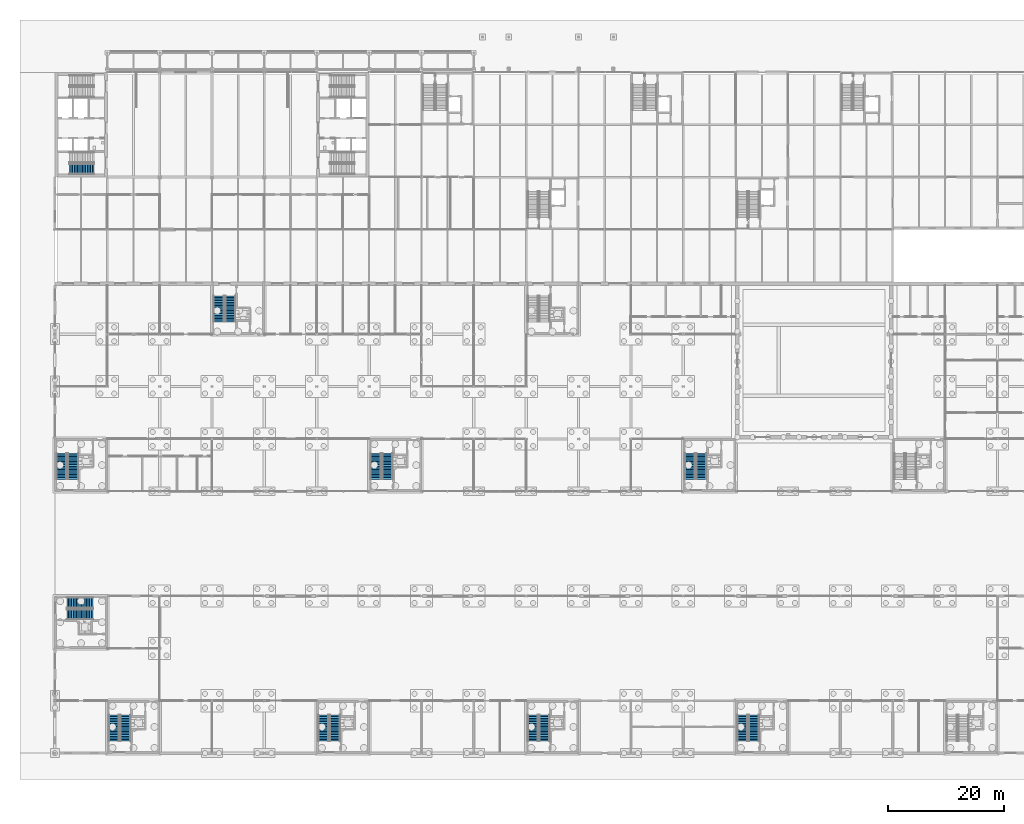
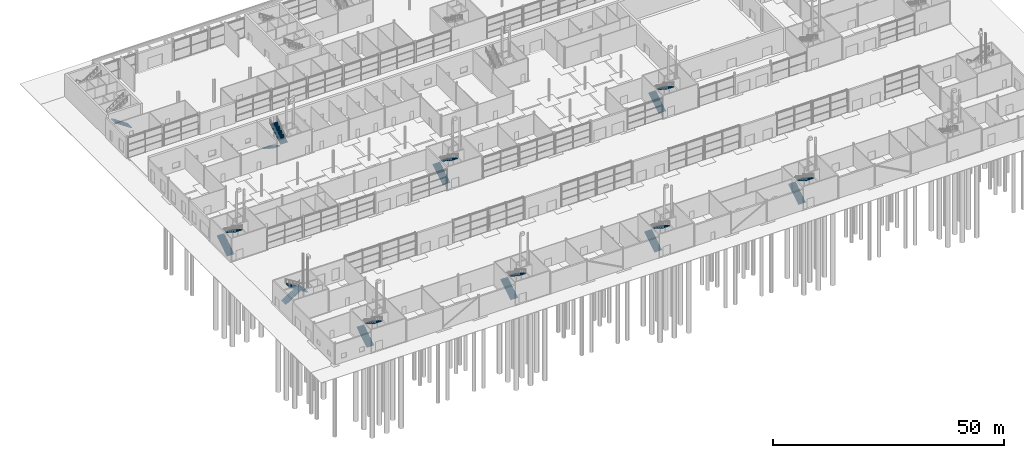
# One storey, part 81 of 97: 19 stair flights, 10 elements without a shape of their own.
"""IFC4 building model written with IfcOpenShell, lengths in metres."""

from ifc_helpers import new_model, si_unit, direction, frame, origin, place, context, subcontext, project, spatial, polyline, outline, extrude, material, type_object, element, aggregate, save


model = new_model("IFC4")

# Units and contexts
model_context = context("Model", 3, precision=1e-05, world=origin(), true_north=direction((0.0, 1.0)))
body_context = subcontext(model_context, "Body", "Model", "MODEL_VIEW")
ifc_project = project(units=[si_unit("LENGTHUNIT", "METRE"), si_unit("AREAUNIT", "SQUARE_METRE"), si_unit("VOLUMEUNIT", "CUBIC_METRE"), si_unit("PLANEANGLEUNIT", "RADIAN"), si_unit("MASSUNIT", "GRAM", prefix="KILO")], contexts=[model_context])

# Site, building, storey
site_placement = place(None, origin())
site = spatial("IfcSite", under=ifc_project, at=site_placement, CompositionType="ELEMENT")
building_placement = place(site_placement, origin())
building = spatial("IfcBuilding", under=site, at=building_placement, Name="Corbel Yard City Hall", CompositionType="ELEMENT")
storey_placement = place(building_placement, origin())
storey = spatial("IfcBuildingStorey", under=building, at=storey_placement, Name="L00", CompositionType="ELEMENT", Elevation=0.0)

# Stair, stair flights
ifc_material = material(Name="Concrete N40 (40 MPa)", Category="concrete")
stair_type_1 = type_object("IfcStairType", Name="ST2", PredefinedType="HALF_TURN_STAIR", material=ifc_material)
stair_1_placement = place(storey_placement, origin())
stair_1 = element("IfcStair", 1, at=stair_1_placement, inside=storey, type_object=stair_type_1, Name="Exit stair L00", PredefinedType="HALF_TURN_STAIR")
stair_flight_type_1 = type_object("IfcStairFlightType", Name="FL2", PredefinedType="STRAIGHT", material=ifc_material)
stair_flight_1_placement = place(storey_placement, frame((10.14990234375, 2.050048828125, 0.0), z_axis=(0.0, 0.0, 1.0), x_axis=(0.0, 1.0, 0.0)))
stair_flight_1 = element("IfcStairFlight", 2, at=stair_flight_1_placement, type_object=stair_flight_type_1, Name="PS1 flight 1", NumberOfRisers=17, NumberOfTreads=16, PredefinedType="STRAIGHT", RiserHeight=0.176471, TreadLength=0.28, context=body_context, shape_type="SweptSolid", body=[
    extrude(outline(polyline([(0.0, 0.0), (0.0, 0.176513671875), (0.280029296875, 0.176513671875), (0.280029296875, 0.35302734375), (0.56005859375, 0.35302734375), (0.56005859375, 0.529296875), (0.840087890625, 0.529296875), (0.840087890625, 0.705810546875), (1.1201171875, 0.705810546875), (1.1201171875, 0.88232421875), (1.39990234375, 0.88232421875), (1.39990234375, 1.058837890625), (1.679931640625, 1.058837890625), (1.679931640625, 1.2353515625), (1.9599609375, 1.2353515625), (1.9599609375, 1.411865234375), (2.239990234375, 1.411865234375), (2.239990234375, 1.588134765625), (2.52001953125, 1.588134765625), (2.52001953125, 1.7646484375), (2.800048828125, 1.7646484375), (2.800048828125, 1.941162109375), (3.080078125, 1.941162109375), (3.080078125, 2.11767578125), (3.360107421875, 2.11767578125), (3.360107421875, 2.294189453125), (3.639892578125, 2.294189453125), (3.639892578125, 2.470703125), (3.919921875, 2.470703125), (3.919921875, 2.64697265625), (4.199951171875, 2.64697265625), (4.199951171875, 2.823486328125), (4.47998046875, 2.823486328125), (4.47998046875, 3.0), (4.47998046875, 2.646240234375), (0.28125, 0.0), (0.0, 0.0)])), frame((0.0, 0.89990234375, 0.0), z_axis=(0.0, -1.0, 0.0), x_axis=(1.0, 0.0, 0.0)), (0.0, 0.0, 1.0), 1.800048828125),
])
stair_flight_2_placement = place(storey_placement, frame((12.14990234375, 6.530029296875, 3.0), z_axis=(0.0, 0.0, 1.0), x_axis=(0.0, -1.0, 0.0)))
stair_flight_2 = element("IfcStairFlight", 3, at=stair_flight_2_placement, type_object=stair_flight_type_1, Name="PS1 flight 2", NumberOfRisers=17, NumberOfTreads=16, PredefinedType="STRAIGHT", RiserHeight=0.176471, TreadLength=0.28, context=body_context, shape_type="SweptSolid", body=[
    extrude(outline(polyline([(0.0, 0.0), (0.0, 0.176513671875), (0.280029296875, 0.176513671875), (0.280029296875, 0.35302734375), (0.56005859375, 0.35302734375), (0.56005859375, 0.529296875), (0.840087890625, 0.529296875), (0.840087890625, 0.705810546875), (1.1201171875, 0.705810546875), (1.1201171875, 0.88232421875), (1.39990234375, 0.88232421875), (1.39990234375, 1.058837890625), (1.679931640625, 1.058837890625), (1.679931640625, 1.2353515625), (1.9599609375, 1.2353515625), (1.9599609375, 1.411865234375), (2.239990234375, 1.411865234375), (2.239990234375, 1.588134765625), (2.52001953125, 1.588134765625), (2.52001953125, 1.7646484375), (2.800048828125, 1.7646484375), (2.800048828125, 1.941162109375), (3.080078125, 1.941162109375), (3.080078125, 2.11767578125), (3.360107421875, 2.11767578125), (3.360107421875, 2.294189453125), (3.639892578125, 2.294189453125), (3.639892578125, 2.470703125), (3.919921875, 2.470703125), (3.919921875, 2.64697265625), (4.199951171875, 2.64697265625), (4.199951171875, 2.823486328125), (4.47998046875, 2.823486328125), (4.47998046875, 3.0), (4.47998046875, 2.646240234375), (0.28125, 0.0), (0.0, 0.0)])), frame((0.0, 0.89990234375, 0.0), z_axis=(0.0, -1.0, 0.0), x_axis=(1.0, 0.0, 0.0)), (0.0, 0.0, 1.0), 1.800048828125),
])
aggregate(stair_1, [stair_flight_1, stair_flight_2])

stair_2_placement = place(storey_placement, origin())
stair_2 = element("IfcStair", 4, at=stair_2_placement, inside=storey, type_object=stair_type_1, Name="Exit stair L00", PredefinedType="HALF_TURN_STAIR")
stair_flight_3_placement = place(storey_placement, frame((46.14990234375, 2.050048828125, 0.0), z_axis=(0.0, 0.0, 1.0), x_axis=(0.0, 1.0, 0.0)))
stair_flight_3 = element("IfcStairFlight", 5, at=stair_flight_3_placement, type_object=stair_flight_type_1, Name="PS2 flight 1", NumberOfRisers=17, NumberOfTreads=16, PredefinedType="STRAIGHT", RiserHeight=0.176471, TreadLength=0.28, context=body_context, shape_type="SweptSolid", body=[
    extrude(outline(polyline([(0.0, 0.0), (0.0, 0.176513671875), (0.280029296875, 0.176513671875), (0.280029296875, 0.35302734375), (0.56005859375, 0.35302734375), (0.56005859375, 0.529296875), (0.840087890625, 0.529296875), (0.840087890625, 0.705810546875), (1.1201171875, 0.705810546875), (1.1201171875, 0.88232421875), (1.39990234375, 0.88232421875), (1.39990234375, 1.058837890625), (1.679931640625, 1.058837890625), (1.679931640625, 1.2353515625), (1.9599609375, 1.2353515625), (1.9599609375, 1.411865234375), (2.239990234375, 1.411865234375), (2.239990234375, 1.588134765625), (2.52001953125, 1.588134765625), (2.52001953125, 1.7646484375), (2.800048828125, 1.7646484375), (2.800048828125, 1.941162109375), (3.080078125, 1.941162109375), (3.080078125, 2.11767578125), (3.360107421875, 2.11767578125), (3.360107421875, 2.294189453125), (3.639892578125, 2.294189453125), (3.639892578125, 2.470703125), (3.919921875, 2.470703125), (3.919921875, 2.64697265625), (4.199951171875, 2.64697265625), (4.199951171875, 2.823486328125), (4.47998046875, 2.823486328125), (4.47998046875, 3.0), (4.47998046875, 2.646240234375), (0.28125, 0.0), (0.0, 0.0)])), frame((0.0, 0.89990234375, 0.0), z_axis=(0.0, -1.0, 0.0), x_axis=(1.0, 0.0, 0.0)), (0.0, 0.0, 1.0), 1.800048828125),
])
stair_flight_4_placement = place(storey_placement, frame((48.14990234375, 6.530029296875, 3.0), z_axis=(0.0, 0.0, 1.0), x_axis=(0.0, -1.0, 0.0)))
stair_flight_4 = element("IfcStairFlight", 6, at=stair_flight_4_placement, type_object=stair_flight_type_1, Name="PS2 flight 2", NumberOfRisers=17, NumberOfTreads=16, PredefinedType="STRAIGHT", RiserHeight=0.176471, TreadLength=0.28, context=body_context, shape_type="SweptSolid", body=[
    extrude(outline(polyline([(0.0, 0.0), (0.0, 0.176513671875), (0.280029296875, 0.176513671875), (0.280029296875, 0.35302734375), (0.56005859375, 0.35302734375), (0.56005859375, 0.529296875), (0.840087890625, 0.529296875), (0.840087890625, 0.705810546875), (1.1201171875, 0.705810546875), (1.1201171875, 0.88232421875), (1.39990234375, 0.88232421875), (1.39990234375, 1.058837890625), (1.679931640625, 1.058837890625), (1.679931640625, 1.2353515625), (1.9599609375, 1.2353515625), (1.9599609375, 1.411865234375), (2.239990234375, 1.411865234375), (2.239990234375, 1.588134765625), (2.52001953125, 1.588134765625), (2.52001953125, 1.7646484375), (2.800048828125, 1.7646484375), (2.800048828125, 1.941162109375), (3.080078125, 1.941162109375), (3.080078125, 2.11767578125), (3.360107421875, 2.11767578125), (3.360107421875, 2.294189453125), (3.639892578125, 2.294189453125), (3.639892578125, 2.470703125), (3.919921875, 2.470703125), (3.919921875, 2.64697265625), (4.199951171875, 2.64697265625), (4.199951171875, 2.823486328125), (4.47998046875, 2.823486328125), (4.47998046875, 3.0), (4.47998046875, 2.646240234375), (0.28125, 0.0), (0.0, 0.0)])), frame((0.0, 0.89990234375, 0.0), z_axis=(0.0, -1.0, 0.0), x_axis=(1.0, 0.0, 0.0)), (0.0, 0.0, 1.0), 1.800048828125),
])
aggregate(stair_2, [stair_flight_3, stair_flight_4])

stair_3_placement = place(storey_placement, origin())
stair_3 = element("IfcStair", 7, at=stair_3_placement, inside=storey, type_object=stair_type_1, Name="Exit stair L00", PredefinedType="HALF_TURN_STAIR")
stair_flight_5_placement = place(storey_placement, frame((82.14990234375, 2.050048828125, 0.0), z_axis=(0.0, 0.0, 1.0), x_axis=(0.0, 1.0, 0.0)))
stair_flight_5 = element("IfcStairFlight", 8, at=stair_flight_5_placement, type_object=stair_flight_type_1, Name="PS3 flight 1", NumberOfRisers=17, NumberOfTreads=16, PredefinedType="STRAIGHT", RiserHeight=0.176471, TreadLength=0.28, context=body_context, shape_type="SweptSolid", body=[
    extrude(outline(polyline([(0.0, 0.0), (0.0, 0.176513671875), (0.280029296875, 0.176513671875), (0.280029296875, 0.35302734375), (0.56005859375, 0.35302734375), (0.56005859375, 0.529296875), (0.840087890625, 0.529296875), (0.840087890625, 0.705810546875), (1.1201171875, 0.705810546875), (1.1201171875, 0.88232421875), (1.39990234375, 0.88232421875), (1.39990234375, 1.058837890625), (1.679931640625, 1.058837890625), (1.679931640625, 1.2353515625), (1.9599609375, 1.2353515625), (1.9599609375, 1.411865234375), (2.239990234375, 1.411865234375), (2.239990234375, 1.588134765625), (2.52001953125, 1.588134765625), (2.52001953125, 1.7646484375), (2.800048828125, 1.7646484375), (2.800048828125, 1.941162109375), (3.080078125, 1.941162109375), (3.080078125, 2.11767578125), (3.360107421875, 2.11767578125), (3.360107421875, 2.294189453125), (3.639892578125, 2.294189453125), (3.639892578125, 2.470703125), (3.919921875, 2.470703125), (3.919921875, 2.64697265625), (4.199951171875, 2.64697265625), (4.199951171875, 2.823486328125), (4.47998046875, 2.823486328125), (4.47998046875, 3.0), (4.47998046875, 2.646240234375), (0.28125, 0.0), (0.0, 0.0)])), frame((0.0, 0.89990234375, 0.0), z_axis=(0.0, -1.0, 0.0), x_axis=(1.0, 0.0, 0.0)), (0.0, 0.0, 1.0), 1.800048828125),
])
stair_flight_6_placement = place(storey_placement, frame((84.14990234375, 6.530029296875, 3.0), z_axis=(0.0, 0.0, 1.0), x_axis=(0.0, -1.0, 0.0)))
stair_flight_6 = element("IfcStairFlight", 9, at=stair_flight_6_placement, type_object=stair_flight_type_1, Name="PS3 flight 2", NumberOfRisers=17, NumberOfTreads=16, PredefinedType="STRAIGHT", RiserHeight=0.176471, TreadLength=0.28, context=body_context, shape_type="SweptSolid", body=[
    extrude(outline(polyline([(0.0, 0.0), (0.0, 0.176513671875), (0.280029296875, 0.176513671875), (0.280029296875, 0.35302734375), (0.56005859375, 0.35302734375), (0.56005859375, 0.529296875), (0.840087890625, 0.529296875), (0.840087890625, 0.705810546875), (1.1201171875, 0.705810546875), (1.1201171875, 0.88232421875), (1.39990234375, 0.88232421875), (1.39990234375, 1.058837890625), (1.679931640625, 1.058837890625), (1.679931640625, 1.2353515625), (1.9599609375, 1.2353515625), (1.9599609375, 1.411865234375), (2.239990234375, 1.411865234375), (2.239990234375, 1.588134765625), (2.52001953125, 1.588134765625), (2.52001953125, 1.7646484375), (2.800048828125, 1.7646484375), (2.800048828125, 1.941162109375), (3.080078125, 1.941162109375), (3.080078125, 2.11767578125), (3.360107421875, 2.11767578125), (3.360107421875, 2.294189453125), (3.639892578125, 2.294189453125), (3.639892578125, 2.470703125), (3.919921875, 2.470703125), (3.919921875, 2.64697265625), (4.199951171875, 2.64697265625), (4.199951171875, 2.823486328125), (4.47998046875, 2.823486328125), (4.47998046875, 3.0), (4.47998046875, 2.646240234375), (0.28125, 0.0), (0.0, 0.0)])), frame((0.0, 0.89990234375, 0.0), z_axis=(0.0, -1.0, 0.0), x_axis=(1.0, 0.0, 0.0)), (0.0, 0.0, 1.0), 1.800048828125),
])
aggregate(stair_3, [stair_flight_5, stair_flight_6])

stair_4_placement = place(storey_placement, origin())
stair_4 = element("IfcStair", 10, at=stair_4_placement, inside=storey, type_object=stair_type_1, Name="Exit stair L00", PredefinedType="HALF_TURN_STAIR")
stair_flight_7_placement = place(storey_placement, frame((118.14990234375, 2.050048828125, 0.0), z_axis=(0.0, 0.0, 1.0), x_axis=(0.0, 1.0, 0.0)))
stair_flight_7 = element("IfcStairFlight", 11, at=stair_flight_7_placement, type_object=stair_flight_type_1, Name="PS4 flight 1", NumberOfRisers=17, NumberOfTreads=16, PredefinedType="STRAIGHT", RiserHeight=0.176471, TreadLength=0.28, context=body_context, shape_type="SweptSolid", body=[
    extrude(outline(polyline([(0.0, 0.0), (0.0, 0.176513671875), (0.280029296875, 0.176513671875), (0.280029296875, 0.35302734375), (0.56005859375, 0.35302734375), (0.56005859375, 0.529296875), (0.840087890625, 0.529296875), (0.840087890625, 0.705810546875), (1.1201171875, 0.705810546875), (1.1201171875, 0.88232421875), (1.39990234375, 0.88232421875), (1.39990234375, 1.058837890625), (1.679931640625, 1.058837890625), (1.679931640625, 1.2353515625), (1.9599609375, 1.2353515625), (1.9599609375, 1.411865234375), (2.239990234375, 1.411865234375), (2.239990234375, 1.588134765625), (2.52001953125, 1.588134765625), (2.52001953125, 1.7646484375), (2.800048828125, 1.7646484375), (2.800048828125, 1.941162109375), (3.080078125, 1.941162109375), (3.080078125, 2.11767578125), (3.360107421875, 2.11767578125), (3.360107421875, 2.294189453125), (3.639892578125, 2.294189453125), (3.639892578125, 2.470703125), (3.919921875, 2.470703125), (3.919921875, 2.64697265625), (4.199951171875, 2.64697265625), (4.199951171875, 2.823486328125), (4.47998046875, 2.823486328125), (4.47998046875, 3.0), (4.47998046875, 2.646240234375), (0.28125, 0.0), (0.0, 0.0)])), frame((0.0, 0.89990234375, 0.0), z_axis=(0.0, -1.0, 0.0), x_axis=(1.0, 0.0, 0.0)), (0.0, 0.0, 1.0), 1.800048828125),
])
stair_flight_8_placement = place(storey_placement, frame((120.14990234375, 6.530029296875, 3.0), z_axis=(0.0, 0.0, 1.0), x_axis=(0.0, -1.0, 0.0)))
stair_flight_8 = element("IfcStairFlight", 12, at=stair_flight_8_placement, type_object=stair_flight_type_1, Name="PS4 flight 2", NumberOfRisers=17, NumberOfTreads=16, PredefinedType="STRAIGHT", RiserHeight=0.176471, TreadLength=0.28, context=body_context, shape_type="SweptSolid", body=[
    extrude(outline(polyline([(0.0, 0.0), (0.0, 0.176513671875), (0.280029296875, 0.176513671875), (0.280029296875, 0.35302734375), (0.56005859375, 0.35302734375), (0.56005859375, 0.529296875), (0.840087890625, 0.529296875), (0.840087890625, 0.705810546875), (1.1201171875, 0.705810546875), (1.1201171875, 0.88232421875), (1.39990234375, 0.88232421875), (1.39990234375, 1.058837890625), (1.679931640625, 1.058837890625), (1.679931640625, 1.2353515625), (1.9599609375, 1.2353515625), (1.9599609375, 1.411865234375), (2.239990234375, 1.411865234375), (2.239990234375, 1.588134765625), (2.52001953125, 1.588134765625), (2.52001953125, 1.7646484375), (2.800048828125, 1.7646484375), (2.800048828125, 1.941162109375), (3.080078125, 1.941162109375), (3.080078125, 2.11767578125), (3.360107421875, 2.11767578125), (3.360107421875, 2.294189453125), (3.639892578125, 2.294189453125), (3.639892578125, 2.470703125), (3.919921875, 2.470703125), (3.919921875, 2.64697265625), (4.199951171875, 2.64697265625), (4.199951171875, 2.823486328125), (4.47998046875, 2.823486328125), (4.47998046875, 3.0), (4.47998046875, 2.646240234375), (0.28125, 0.0), (0.0, 0.0)])), frame((0.0, 0.89990234375, 0.0), z_axis=(0.0, -1.0, 0.0), x_axis=(1.0, 0.0, 0.0)), (0.0, 0.0, 1.0), 1.800048828125),
])
aggregate(stair_4, [stair_flight_7, stair_flight_8])

stair_5_placement = place(storey_placement, origin())
stair_5 = element("IfcStair", 13, at=stair_5_placement, inside=storey, type_object=stair_type_1, Name="Exit stair L00", PredefinedType="HALF_TURN_STAIR")
stair_flight_9_placement = place(storey_placement, frame((2.050048828125, 25.85009765625, 0.0), z_axis=(0.0, 0.0, 1.0), x_axis=(1.0, 0.0, 0.0)))
stair_flight_9 = element("IfcStairFlight", 14, at=stair_flight_9_placement, type_object=stair_flight_type_1, Name="PS6 flight 1", NumberOfRisers=17, NumberOfTreads=16, PredefinedType="STRAIGHT", RiserHeight=0.176471, TreadLength=0.28, context=body_context, shape_type="SweptSolid", body=[
    extrude(outline(polyline([(0.0, 0.0), (0.0, 0.176513671875), (0.280029296875, 0.176513671875), (0.280029296875, 0.35302734375), (0.56005859375, 0.35302734375), (0.56005859375, 0.529296875), (0.840087890625, 0.529296875), (0.840087890625, 0.705810546875), (1.1201171875, 0.705810546875), (1.1201171875, 0.88232421875), (1.39990234375, 0.88232421875), (1.39990234375, 1.058837890625), (1.679931640625, 1.058837890625), (1.679931640625, 1.2353515625), (1.9599609375, 1.2353515625), (1.9599609375, 1.411865234375), (2.239990234375, 1.411865234375), (2.239990234375, 1.588134765625), (2.52001953125, 1.588134765625), (2.52001953125, 1.7646484375), (2.800048828125, 1.7646484375), (2.800048828125, 1.941162109375), (3.080078125, 1.941162109375), (3.080078125, 2.11767578125), (3.360107421875, 2.11767578125), (3.360107421875, 2.294189453125), (3.639892578125, 2.294189453125), (3.639892578125, 2.470703125), (3.919921875, 2.470703125), (3.919921875, 2.64697265625), (4.199951171875, 2.64697265625), (4.199951171875, 2.823486328125), (4.47998046875, 2.823486328125), (4.47998046875, 3.0), (4.47998046875, 2.646240234375), (0.28125, 0.0), (0.0, 0.0)])), frame((0.0, 0.89990234375, 0.0), z_axis=(0.0, -1.0, 0.0), x_axis=(1.0, 0.0, 0.0)), (0.0, 0.0, 1.0), 1.800048828125),
])
stair_flight_10_placement = place(storey_placement, frame((6.530029296875, 23.85009765625, 3.0), z_axis=(0.0, 0.0, 1.0), x_axis=(-1.0, 0.0, 0.0)))
stair_flight_10 = element("IfcStairFlight", 15, at=stair_flight_10_placement, type_object=stair_flight_type_1, Name="PS6 flight 2", NumberOfRisers=17, NumberOfTreads=16, PredefinedType="STRAIGHT", RiserHeight=0.176471, TreadLength=0.28, context=body_context, shape_type="SweptSolid", body=[
    extrude(outline(polyline([(0.0, 0.0), (0.0, 0.176513671875), (0.280029296875, 0.176513671875), (0.280029296875, 0.35302734375), (0.56005859375, 0.35302734375), (0.56005859375, 0.529296875), (0.840087890625, 0.529296875), (0.840087890625, 0.705810546875), (1.1201171875, 0.705810546875), (1.1201171875, 0.88232421875), (1.39990234375, 0.88232421875), (1.39990234375, 1.058837890625), (1.679931640625, 1.058837890625), (1.679931640625, 1.2353515625), (1.9599609375, 1.2353515625), (1.9599609375, 1.411865234375), (2.239990234375, 1.411865234375), (2.239990234375, 1.588134765625), (2.52001953125, 1.588134765625), (2.52001953125, 1.7646484375), (2.800048828125, 1.7646484375), (2.800048828125, 1.941162109375), (3.080078125, 1.941162109375), (3.080078125, 2.11767578125), (3.360107421875, 2.11767578125), (3.360107421875, 2.294189453125), (3.639892578125, 2.294189453125), (3.639892578125, 2.470703125), (3.919921875, 2.470703125), (3.919921875, 2.64697265625), (4.199951171875, 2.64697265625), (4.199951171875, 2.823486328125), (4.47998046875, 2.823486328125), (4.47998046875, 3.0), (4.47998046875, 2.646240234375), (0.28125, 0.0), (0.0, 0.0)])), frame((0.0, 0.89990234375, 0.0), z_axis=(0.0, -1.0, 0.0), x_axis=(1.0, 0.0, 0.0)), (0.0, 0.0, 1.0), 1.800048828125),
])
aggregate(stair_5, [stair_flight_9, stair_flight_10])

stair_6_placement = place(storey_placement, origin())
stair_6 = element("IfcStair", 16, at=stair_6_placement, inside=storey, type_object=stair_type_1, Name="Exit stair L00", PredefinedType="HALF_TURN_STAIR")
stair_flight_11_placement = place(storey_placement, frame((1.14990234375, 47.050048828125, 0.0), z_axis=(0.0, 0.0, 1.0), x_axis=(0.0, 1.0, 0.0)))
stair_flight_11 = element("IfcStairFlight", 17, at=stair_flight_11_placement, type_object=stair_flight_type_1, Name="PS8 flight 1", NumberOfRisers=17, NumberOfTreads=16, PredefinedType="STRAIGHT", RiserHeight=0.176471, TreadLength=0.28, context=body_context, shape_type="SweptSolid", body=[
    extrude(outline(polyline([(0.0, 0.0), (0.0, 0.176513671875), (0.280029296875, 0.176513671875), (0.280029296875, 0.35302734375), (0.56005859375, 0.35302734375), (0.56005859375, 0.529296875), (0.840087890625, 0.529296875), (0.840087890625, 0.705810546875), (1.1201171875, 0.705810546875), (1.1201171875, 0.88232421875), (1.39990234375, 0.88232421875), (1.39990234375, 1.058837890625), (1.679931640625, 1.058837890625), (1.679931640625, 1.2353515625), (1.9599609375, 1.2353515625), (1.9599609375, 1.411865234375), (2.239990234375, 1.411865234375), (2.239990234375, 1.588134765625), (2.52001953125, 1.588134765625), (2.52001953125, 1.7646484375), (2.800048828125, 1.7646484375), (2.800048828125, 1.941162109375), (3.080078125, 1.941162109375), (3.080078125, 2.11767578125), (3.360107421875, 2.11767578125), (3.360107421875, 2.294189453125), (3.639892578125, 2.294189453125), (3.639892578125, 2.470703125), (3.919921875, 2.470703125), (3.919921875, 2.64697265625), (4.199951171875, 2.64697265625), (4.199951171875, 2.823486328125), (4.47998046875, 2.823486328125), (4.47998046875, 3.0), (4.47998046875, 2.646240234375), (0.28125, 0.0), (0.0, 0.0)])), frame((0.0, 0.89990234375, 0.0), z_axis=(0.0, -1.0, 0.0), x_axis=(1.0, 0.0, 0.0)), (0.0, 0.0, 1.0), 1.800048828125),
])
stair_flight_12_placement = place(storey_placement, frame((3.14990234375, 51.530029296875, 3.0), z_axis=(0.0, 0.0, 1.0), x_axis=(0.0, -1.0, 0.0)))
stair_flight_12 = element("IfcStairFlight", 18, at=stair_flight_12_placement, type_object=stair_flight_type_1, Name="PS8 flight 2", NumberOfRisers=17, NumberOfTreads=16, PredefinedType="STRAIGHT", RiserHeight=0.176471, TreadLength=0.28, context=body_context, shape_type="SweptSolid", body=[
    extrude(outline(polyline([(0.0, 0.0), (0.0, 0.176513671875), (0.280029296875, 0.176513671875), (0.280029296875, 0.35302734375), (0.56005859375, 0.35302734375), (0.56005859375, 0.529296875), (0.840087890625, 0.529296875), (0.840087890625, 0.705810546875), (1.1201171875, 0.705810546875), (1.1201171875, 0.88232421875), (1.39990234375, 0.88232421875), (1.39990234375, 1.058837890625), (1.679931640625, 1.058837890625), (1.679931640625, 1.2353515625), (1.9599609375, 1.2353515625), (1.9599609375, 1.411865234375), (2.239990234375, 1.411865234375), (2.239990234375, 1.588134765625), (2.52001953125, 1.588134765625), (2.52001953125, 1.7646484375), (2.800048828125, 1.7646484375), (2.800048828125, 1.941162109375), (3.080078125, 1.941162109375), (3.080078125, 2.11767578125), (3.360107421875, 2.11767578125), (3.360107421875, 2.294189453125), (3.639892578125, 2.294189453125), (3.639892578125, 2.470703125), (3.919921875, 2.470703125), (3.919921875, 2.64697265625), (4.199951171875, 2.64697265625), (4.199951171875, 2.823486328125), (4.47998046875, 2.823486328125), (4.47998046875, 3.0), (4.47998046875, 2.646240234375), (0.28125, 0.0), (0.0, 0.0)])), frame((0.0, 0.89990234375, 0.0), z_axis=(0.0, -1.0, 0.0), x_axis=(1.0, 0.0, 0.0)), (0.0, 0.0, 1.0), 1.800048828125),
])
aggregate(stair_6, [stair_flight_11, stair_flight_12])

stair_7_placement = place(storey_placement, origin())
stair_7 = element("IfcStair", 19, at=stair_7_placement, inside=storey, type_object=stair_type_1, Name="Exit stair L00", PredefinedType="HALF_TURN_STAIR")
stair_flight_13_placement = place(storey_placement, frame((55.14990234375, 47.050048828125, 0.0), z_axis=(0.0, 0.0, 1.0), x_axis=(0.0, 1.0, 0.0)))
stair_flight_13 = element("IfcStairFlight", 20, at=stair_flight_13_placement, type_object=stair_flight_type_1, Name="PS9 flight 1", NumberOfRisers=17, NumberOfTreads=16, PredefinedType="STRAIGHT", RiserHeight=0.176471, TreadLength=0.28, context=body_context, shape_type="SweptSolid", body=[
    extrude(outline(polyline([(0.0, 0.0), (0.0, 0.176513671875), (0.280029296875, 0.176513671875), (0.280029296875, 0.35302734375), (0.56005859375, 0.35302734375), (0.56005859375, 0.529296875), (0.840087890625, 0.529296875), (0.840087890625, 0.705810546875), (1.1201171875, 0.705810546875), (1.1201171875, 0.88232421875), (1.39990234375, 0.88232421875), (1.39990234375, 1.058837890625), (1.679931640625, 1.058837890625), (1.679931640625, 1.2353515625), (1.9599609375, 1.2353515625), (1.9599609375, 1.411865234375), (2.239990234375, 1.411865234375), (2.239990234375, 1.588134765625), (2.52001953125, 1.588134765625), (2.52001953125, 1.7646484375), (2.800048828125, 1.7646484375), (2.800048828125, 1.941162109375), (3.080078125, 1.941162109375), (3.080078125, 2.11767578125), (3.360107421875, 2.11767578125), (3.360107421875, 2.294189453125), (3.639892578125, 2.294189453125), (3.639892578125, 2.470703125), (3.919921875, 2.470703125), (3.919921875, 2.64697265625), (4.199951171875, 2.64697265625), (4.199951171875, 2.823486328125), (4.47998046875, 2.823486328125), (4.47998046875, 3.0), (4.47998046875, 2.646240234375), (0.28125, 0.0), (0.0, 0.0)])), frame((0.0, 0.89990234375, 0.0), z_axis=(0.0, -1.0, 0.0), x_axis=(1.0, 0.0, 0.0)), (0.0, 0.0, 1.0), 1.800048828125),
])
stair_flight_14_placement = place(storey_placement, frame((57.14990234375, 51.530029296875, 3.0), z_axis=(0.0, 0.0, 1.0), x_axis=(0.0, -1.0, 0.0)))
stair_flight_14 = element("IfcStairFlight", 21, at=stair_flight_14_placement, type_object=stair_flight_type_1, Name="PS9 flight 2", NumberOfRisers=17, NumberOfTreads=16, PredefinedType="STRAIGHT", RiserHeight=0.176471, TreadLength=0.28, context=body_context, shape_type="SweptSolid", body=[
    extrude(outline(polyline([(0.0, 0.0), (0.0, 0.176513671875), (0.280029296875, 0.176513671875), (0.280029296875, 0.35302734375), (0.56005859375, 0.35302734375), (0.56005859375, 0.529296875), (0.840087890625, 0.529296875), (0.840087890625, 0.705810546875), (1.1201171875, 0.705810546875), (1.1201171875, 0.88232421875), (1.39990234375, 0.88232421875), (1.39990234375, 1.058837890625), (1.679931640625, 1.058837890625), (1.679931640625, 1.2353515625), (1.9599609375, 1.2353515625), (1.9599609375, 1.411865234375), (2.239990234375, 1.411865234375), (2.239990234375, 1.588134765625), (2.52001953125, 1.588134765625), (2.52001953125, 1.7646484375), (2.800048828125, 1.7646484375), (2.800048828125, 1.941162109375), (3.080078125, 1.941162109375), (3.080078125, 2.11767578125), (3.360107421875, 2.11767578125), (3.360107421875, 2.294189453125), (3.639892578125, 2.294189453125), (3.639892578125, 2.470703125), (3.919921875, 2.470703125), (3.919921875, 2.64697265625), (4.199951171875, 2.64697265625), (4.199951171875, 2.823486328125), (4.47998046875, 2.823486328125), (4.47998046875, 3.0), (4.47998046875, 2.646240234375), (0.28125, 0.0), (0.0, 0.0)])), frame((0.0, 0.89990234375, 0.0), z_axis=(0.0, -1.0, 0.0), x_axis=(1.0, 0.0, 0.0)), (0.0, 0.0, 1.0), 1.800048828125),
])
aggregate(stair_7, [stair_flight_13, stair_flight_14])

stair_8_placement = place(storey_placement, origin())
stair_8 = element("IfcStair", 22, at=stair_8_placement, inside=storey, type_object=stair_type_1, Name="Exit stair L00", PredefinedType="HALF_TURN_STAIR")
stair_flight_15_placement = place(storey_placement, frame((109.14990234375, 47.050048828125, 0.0), z_axis=(0.0, 0.0, 1.0), x_axis=(0.0, 1.0, 0.0)))
stair_flight_15 = element("IfcStairFlight", 23, at=stair_flight_15_placement, type_object=stair_flight_type_1, Name="PS10 flight 1", NumberOfRisers=17, NumberOfTreads=16, PredefinedType="STRAIGHT", RiserHeight=0.176471, TreadLength=0.28, context=body_context, shape_type="SweptSolid", body=[
    extrude(outline(polyline([(0.0, 0.0), (0.0, 0.176513671875), (0.280029296875, 0.176513671875), (0.280029296875, 0.35302734375), (0.56005859375, 0.35302734375), (0.56005859375, 0.529296875), (0.840087890625, 0.529296875), (0.840087890625, 0.705810546875), (1.1201171875, 0.705810546875), (1.1201171875, 0.88232421875), (1.39990234375, 0.88232421875), (1.39990234375, 1.058837890625), (1.679931640625, 1.058837890625), (1.679931640625, 1.2353515625), (1.9599609375, 1.2353515625), (1.9599609375, 1.411865234375), (2.239990234375, 1.411865234375), (2.239990234375, 1.588134765625), (2.52001953125, 1.588134765625), (2.52001953125, 1.7646484375), (2.800048828125, 1.7646484375), (2.800048828125, 1.941162109375), (3.080078125, 1.941162109375), (3.080078125, 2.11767578125), (3.360107421875, 2.11767578125), (3.360107421875, 2.294189453125), (3.639892578125, 2.294189453125), (3.639892578125, 2.470703125), (3.919921875, 2.470703125), (3.919921875, 2.64697265625), (4.199951171875, 2.64697265625), (4.199951171875, 2.823486328125), (4.47998046875, 2.823486328125), (4.47998046875, 3.0), (4.47998046875, 2.646240234375), (0.28125, 0.0), (0.0, 0.0)])), frame((0.0, 0.89990234375, 0.0), z_axis=(0.0, -1.0, 0.0), x_axis=(1.0, 0.0, 0.0)), (0.0, 0.0, 1.0), 1.800048828125),
])
stair_flight_16_placement = place(storey_placement, frame((111.14990234375, 51.530029296875, 3.0), z_axis=(0.0, 0.0, 1.0), x_axis=(0.0, -1.0, 0.0)))
stair_flight_16 = element("IfcStairFlight", 24, at=stair_flight_16_placement, type_object=stair_flight_type_1, Name="PS10 flight 2", NumberOfRisers=17, NumberOfTreads=16, PredefinedType="STRAIGHT", RiserHeight=0.176471, TreadLength=0.28, context=body_context, shape_type="SweptSolid", body=[
    extrude(outline(polyline([(0.0, 0.0), (0.0, 0.176513671875), (0.280029296875, 0.176513671875), (0.280029296875, 0.35302734375), (0.56005859375, 0.35302734375), (0.56005859375, 0.529296875), (0.840087890625, 0.529296875), (0.840087890625, 0.705810546875), (1.1201171875, 0.705810546875), (1.1201171875, 0.88232421875), (1.39990234375, 0.88232421875), (1.39990234375, 1.058837890625), (1.679931640625, 1.058837890625), (1.679931640625, 1.2353515625), (1.9599609375, 1.2353515625), (1.9599609375, 1.411865234375), (2.239990234375, 1.411865234375), (2.239990234375, 1.588134765625), (2.52001953125, 1.588134765625), (2.52001953125, 1.7646484375), (2.800048828125, 1.7646484375), (2.800048828125, 1.941162109375), (3.080078125, 1.941162109375), (3.080078125, 2.11767578125), (3.360107421875, 2.11767578125), (3.360107421875, 2.294189453125), (3.639892578125, 2.294189453125), (3.639892578125, 2.470703125), (3.919921875, 2.470703125), (3.919921875, 2.64697265625), (4.199951171875, 2.64697265625), (4.199951171875, 2.823486328125), (4.47998046875, 2.823486328125), (4.47998046875, 3.0), (4.47998046875, 2.646240234375), (0.28125, 0.0), (0.0, 0.0)])), frame((0.0, 0.89990234375, 0.0), z_axis=(0.0, -1.0, 0.0), x_axis=(1.0, 0.0, 0.0)), (0.0, 0.0, 1.0), 1.800048828125),
])
aggregate(stair_8, [stair_flight_15, stair_flight_16])

stair_9_placement = place(storey_placement, origin())
stair_9 = element("IfcStair", 25, at=stair_9_placement, inside=storey, type_object=stair_type_1, Name="Exit stair L00", PredefinedType="HALF_TURN_STAIR")
stair_flight_17_placement = place(storey_placement, frame((28.14990234375, 78.60009765625, 0.0), z_axis=(0.0, 0.0, 1.0), x_axis=(0.0, -1.0, 0.0)))
stair_flight_17 = element("IfcStairFlight", 26, at=stair_flight_17_placement, type_object=stair_flight_type_1, Name="PS13 flight 1", NumberOfRisers=17, NumberOfTreads=16, PredefinedType="STRAIGHT", RiserHeight=0.176471, TreadLength=0.28, context=body_context, shape_type="SweptSolid", body=[
    extrude(outline(polyline([(0.0, 0.0), (0.0, 0.176513671875), (0.280029296875, 0.176513671875), (0.280029296875, 0.35302734375), (0.56005859375, 0.35302734375), (0.56005859375, 0.529296875), (0.840087890625, 0.529296875), (0.840087890625, 0.705810546875), (1.1201171875, 0.705810546875), (1.1201171875, 0.88232421875), (1.39990234375, 0.88232421875), (1.39990234375, 1.058837890625), (1.679931640625, 1.058837890625), (1.679931640625, 1.2353515625), (1.9599609375, 1.2353515625), (1.9599609375, 1.411865234375), (2.239990234375, 1.411865234375), (2.239990234375, 1.588134765625), (2.52001953125, 1.588134765625), (2.52001953125, 1.7646484375), (2.800048828125, 1.7646484375), (2.800048828125, 1.941162109375), (3.080078125, 1.941162109375), (3.080078125, 2.11767578125), (3.360107421875, 2.11767578125), (3.360107421875, 2.294189453125), (3.639892578125, 2.294189453125), (3.639892578125, 2.470703125), (3.919921875, 2.470703125), (3.919921875, 2.64697265625), (4.199951171875, 2.64697265625), (4.199951171875, 2.823486328125), (4.47998046875, 2.823486328125), (4.47998046875, 3.0), (4.47998046875, 2.646240234375), (0.28125, 0.0), (0.0, 0.0)])), frame((0.0, 0.89990234375, 0.0), z_axis=(0.0, -1.0, 0.0), x_axis=(1.0, 0.0, 0.0)), (0.0, 0.0, 1.0), 1.800048828125),
])
stair_flight_18_placement = place(storey_placement, frame((30.14990234375, 74.1201171875, 3.0), z_axis=(0.0, 0.0, 1.0), x_axis=(0.0, 1.0, 0.0)))
stair_flight_18 = element("IfcStairFlight", 27, at=stair_flight_18_placement, type_object=stair_flight_type_1, Name="PS13 flight 2", NumberOfRisers=17, NumberOfTreads=16, PredefinedType="STRAIGHT", RiserHeight=0.176471, TreadLength=0.28, context=body_context, shape_type="SweptSolid", body=[
    extrude(outline(polyline([(0.0, 0.0), (0.0, 0.176513671875), (0.280029296875, 0.176513671875), (0.280029296875, 0.35302734375), (0.56005859375, 0.35302734375), (0.56005859375, 0.529296875), (0.840087890625, 0.529296875), (0.840087890625, 0.705810546875), (1.1201171875, 0.705810546875), (1.1201171875, 0.88232421875), (1.39990234375, 0.88232421875), (1.39990234375, 1.058837890625), (1.679931640625, 1.058837890625), (1.679931640625, 1.2353515625), (1.9599609375, 1.2353515625), (1.9599609375, 1.411865234375), (2.239990234375, 1.411865234375), (2.239990234375, 1.588134765625), (2.52001953125, 1.588134765625), (2.52001953125, 1.7646484375), (2.800048828125, 1.7646484375), (2.800048828125, 1.941162109375), (3.080078125, 1.941162109375), (3.080078125, 2.11767578125), (3.360107421875, 2.11767578125), (3.360107421875, 2.294189453125), (3.639892578125, 2.294189453125), (3.639892578125, 2.470703125), (3.919921875, 2.470703125), (3.919921875, 2.64697265625), (4.199951171875, 2.64697265625), (4.199951171875, 2.823486328125), (4.47998046875, 2.823486328125), (4.47998046875, 3.0), (4.47998046875, 2.646240234375), (0.28125, 0.0), (0.0, 0.0)])), frame((0.0, 0.89990234375, 0.0), z_axis=(0.0, -1.0, 0.0), x_axis=(1.0, 0.0, 0.0)), (0.0, 0.0, 1.0), 1.800048828125),
])
aggregate(stair_9, [stair_flight_17, stair_flight_18])

# Stair, stair flight
stair_type_2 = type_object("IfcStairType", Name="ST6", PredefinedType="HALF_TURN_STAIR", material=ifc_material)
stair_10_placement = place(storey_placement, origin())
stair_10 = element("IfcStair", 28, at=stair_10_placement, inside=storey, type_object=stair_type_2, Name="Exit stair ST-W1 L00", PredefinedType="HALF_TURN_STAIR")
stair_flight_type_2 = type_object("IfcStairFlightType", Name="FL6", PredefinedType="STRAIGHT", material=ifc_material)
stair_flight_19_placement = place(storey_placement, frame((6.699951171875, 100.39990234375, 0.0), z_axis=(0.0, 0.0, 1.0), x_axis=(-1.0, 0.0, 0.0)))
stair_flight_19 = element("IfcStairFlight", 29, at=stair_flight_19_placement, type_object=stair_flight_type_2, Name="ST-W1 flight 1", NumberOfRisers=16, NumberOfTreads=15, PredefinedType="STRAIGHT", RiserHeight=0.1875, TreadLength=0.28, context=body_context, shape_type="SweptSolid", body=[
    extrude(outline(polyline([(0.0, 0.0), (0.0, 0.1875), (0.280029296875, 0.1875), (0.280029296875, 0.375), (0.56005859375, 0.375), (0.56005859375, 0.5625), (0.840087890625, 0.5625), (0.840087890625, 0.75), (1.1201171875, 0.75), (1.1201171875, 0.9375), (1.39990234375, 0.9375), (1.39990234375, 1.125), (1.679931640625, 1.125), (1.679931640625, 1.3125), (1.9599609375, 1.3125), (1.9599609375, 1.5), (2.239990234375, 1.5), (2.239990234375, 1.6875), (2.52001953125, 1.6875), (2.52001953125, 1.875), (2.800048828125, 1.875), (2.800048828125, 2.0625), (3.080078125, 2.0625), (3.080078125, 2.25), (3.360107421875, 2.25), (3.360107421875, 2.4375), (3.639892578125, 2.4375), (3.639892578125, 2.625), (3.919921875, 2.625), (3.919921875, 2.8125), (4.199951171875, 2.8125), (4.199951171875, 3.0), (4.199951171875, 2.632080078125), (0.26953125, 0.0), (0.0, 0.0)])), frame((0.0, 0.89990234375, 0.0), z_axis=(0.0, -1.0, 0.0), x_axis=(1.0, 0.0, 0.0)), (0.0, 0.0, 1.0), 1.800048828125),
])
aggregate(stair_10, [stair_flight_19])

save(model, "model.ifc")
